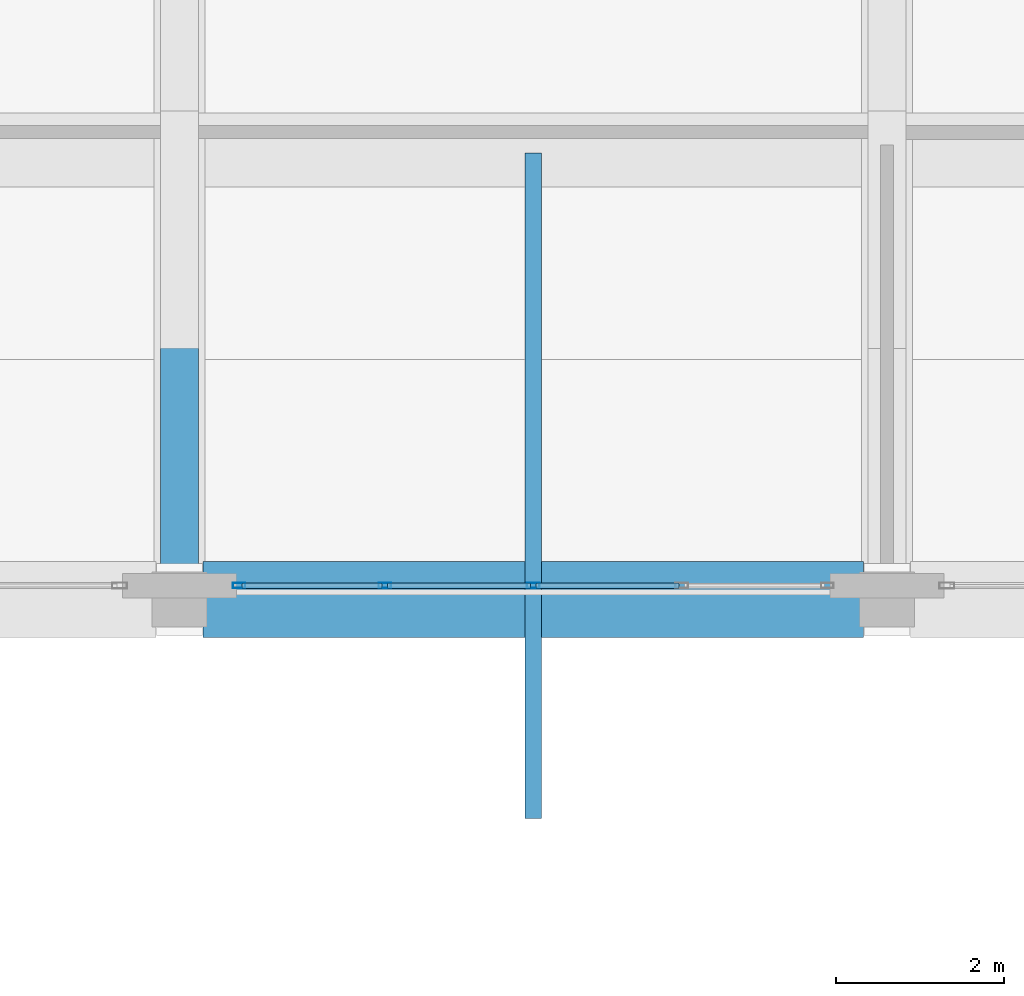
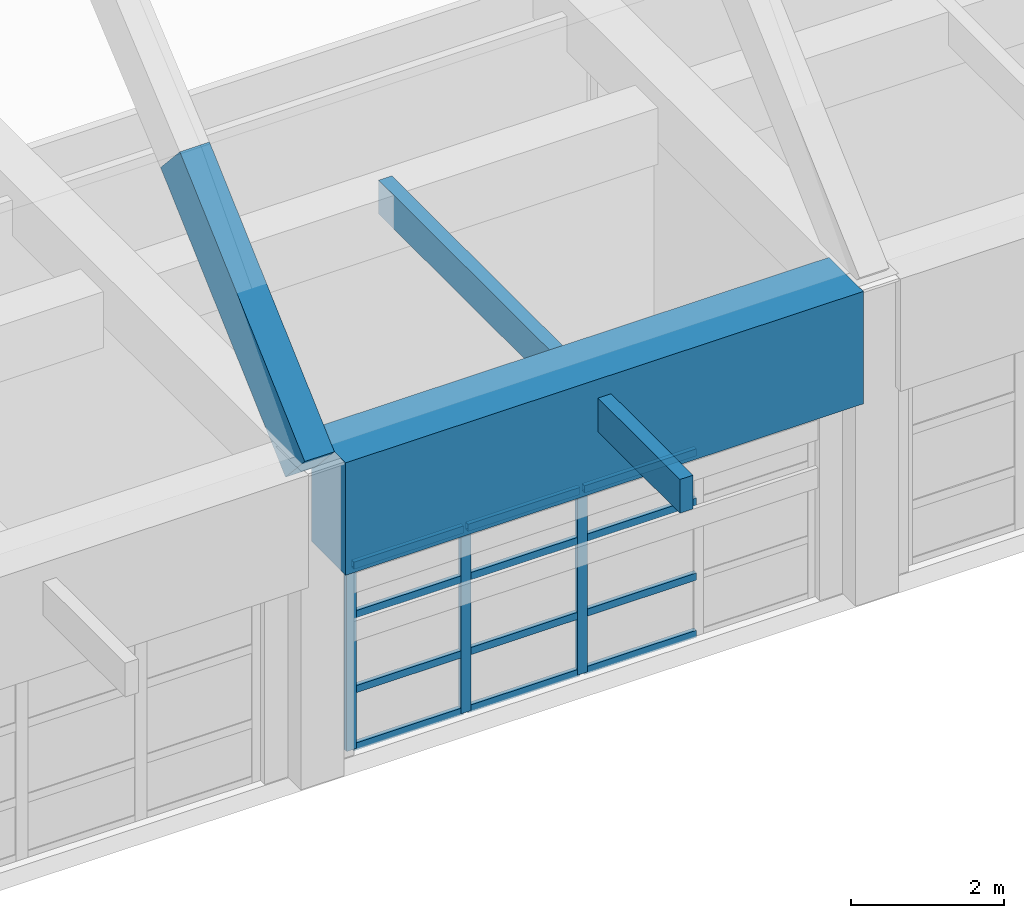
# One storey, part 39 of 103: 16 members, 2 beams, 1 element without a shape of its own.
"""IFC4 building model written with IfcOpenShell, lengths in metres."""

from ifc_helpers import new_model, si_unit, direction, frame, origin, origin_2d, place, context, subcontext, project, spatial, rectangle, hollow_rectangle, extrude, material, layer, layer_set, material_profile, profile_set, type_object, element, aggregate, save


model = new_model("IFC4")

# Units and contexts
model_context = context("Model", 3, precision=1e-05, world=origin(), true_north=direction((0.0, 1.0)))
body_context = subcontext(model_context, "Body", "Model", "MODEL_VIEW")
ifc_project = project(units=[si_unit("LENGTHUNIT", "METRE"), si_unit("AREAUNIT", "SQUARE_METRE"), si_unit("VOLUMEUNIT", "CUBIC_METRE"), si_unit("PLANEANGLEUNIT", "RADIAN"), si_unit("MASSUNIT", "GRAM", prefix="KILO")], contexts=[model_context])

# Site, building, storey
site_placement = place(None, origin())
site = spatial("IfcSite", under=ifc_project, at=site_placement, CompositionType="ELEMENT")
building_placement = place(site_placement, origin())
building = spatial("IfcBuilding", under=site, at=building_placement, Name="Quendrovan Civic Courthouse", CompositionType="ELEMENT")
storey_placement = place(building_placement, frame((0.0, 0.0, 15.300048828125)))
storey = spatial("IfcBuildingStorey", under=building, at=storey_placement, Name="L04", CompositionType="ELEMENT", Elevation=15.300048828125)

# Beams
ifc_material_1 = material(Name="Concrete C45/55", Category="concrete")
ifc_material_profile_1 = material_profile(ifc_material_1, rectangle(XDim=0.89990234375, YDim=1.800048828125, at=origin_2d()), Name="RC-TG-900x1800")
ifc_profile_set_1 = profile_set([ifc_material_profile_1], Name="Concrete C45/55")
beam_type_1 = type_object("IfcBeamType", Name="BM-TG1800", PredefinedType="BEAM", material=ifc_profile_set_1)
beam_1_placement = place(storey_placement, frame((59.080078125, 64.800048828125, 4.199951171875), z_axis=(1.0, 0.0, 0.0), x_axis=(0.0, 1.0, 0.0)))
element("IfcBeam", 1, at=beam_1_placement, inside=storey, type_object=beam_type_1, Name="BV2 Springing Collector Girder S-4", PredefinedType="BEAM", context=body_context, shape_type="SweptSolid", body=[
    extrude(rectangle(XDim=0.89990234375, YDim=1.800048828125, at=origin_2d()), origin(), (0.0, 0.0, 1.0), 7.83984375),
])
ifc_material_2 = material(Name="Concrete C40/50", Category="concrete")
ifc_material_profile_2 = material_profile(ifc_material_2, rectangle(XDim=0.449951171875, YDim=0.75, at=origin_2d()), Name="RC-VRIB-450x750")
ifc_profile_set_2 = profile_set([ifc_material_profile_2], Name="Concrete C40/50")
beam_type_2 = type_object("IfcBeamType", Name="BM-VRIB750", PredefinedType="BEAM", material=ifc_profile_set_2)
beam_2_placement = place(storey_placement, frame((58.800048828125, 64.800048828125, 4.89990234375), z_axis=(0.0, 0.740758632606, 0.671771276716), x_axis=(-1.0, 0.0, 0.0)))
element("IfcBeam", 2, at=beam_2_placement, inside=storey, type_object=beam_type_2, Name="BV2 Concrete Vault Arch Rib A4-C1", PredefinedType="BEAM", context=body_context, shape_type="SweptSolid", body=[
    extrude(rectangle(XDim=0.449951171875, YDim=0.75, at=origin_2d()), origin(), (0.0, 0.0, 1.0), 4.423583984375),
])

# Curtain wall, members
ifc_material_3 = material(Name="Bronze anodised aluminium and low-E glass", Category="aluminium")
ifc_layer = layer(ifc_material_3, 0.179931640625, Name="Bronze anodised aluminium and low-E glass")
ifc_layer_set = layer_set([ifc_layer], Name="Bronze anodised aluminium and low-E glass")
curtain_wall_type = type_object("IfcCurtainWallType", Name="CW-U70x30", PredefinedType="USERDEFINED", material=ifc_layer_set)
curtain_wall_placement = place(storey_placement, origin())
curtain_wall = element("IfcCurtainWall", 3, at=curtain_wall_placement, inside=storey, type_object=curtain_wall_type, Name="L04 Unitised Hurricane Curtain Wall CW-161", ObjectType="UNITISED CURTAIN WALL", PredefinedType="USERDEFINED")
ifc_material_4 = material(Name="Bronze anodised aluminium", Category="aluminium")
ifc_material_profile_3 = material_profile(ifc_material_4, hollow_rectangle(XDim=0.06494140625, YDim=0.14990234375, WallThickness=0.00390625, at=origin_2d()), Name="CW-MULL-65x150")
ifc_profile_set_3 = profile_set([ifc_material_profile_3], Name="Bronze anodised aluminium")
member_type_1 = type_object("IfcMemberType", Name="CW-MULL-B", PredefinedType="MULLION", material=ifc_profile_set_3)
member_1_placement = place(storey_placement, frame((63.0, 64.965087890625, 0.0), z_axis=(0.0, 0.0, 1.0), x_axis=(0.0, -1.0, 0.0)))
member_1 = element("IfcMember", 4, at=member_1_placement, type_object=member_type_1, Name="CW-161 mullion 3", PredefinedType="MULLION", context=body_context, shape_type="SweptSolid", body=[
    extrude(hollow_rectangle(XDim=0.06494140625, YDim=0.14990234375, WallThickness=0.00390625, at=origin_2d()), origin(), (0.0, 0.0, 1.0), 2.969970703125),
])
member_2_placement = place(storey_placement, frame((61.237548828125, 64.965087890625, 0.0), z_axis=(0.0, 0.0, 1.0), x_axis=(0.0, -1.0, 0.0)))
member_2 = element("IfcMember", 5, at=member_2_placement, type_object=member_type_1, Name="CW-161 mullion 4", PredefinedType="MULLION", context=body_context, shape_type="SweptSolid", body=[
    extrude(hollow_rectangle(XDim=0.06494140625, YDim=0.14990234375, WallThickness=0.00390625, at=origin_2d()), origin(), (0.0, 0.0, 1.0), 2.969970703125),
])
member_3_placement = place(storey_placement, frame((59.507568359375, 64.965087890625, 0.0), z_axis=(0.0, 0.0, 1.0), x_axis=(0.0, -1.0, 0.0)))
member_3 = element("IfcMember", 6, at=member_3_placement, type_object=member_type_1, Name="CW-161 mullion 5", PredefinedType="MULLION", context=body_context, shape_type="SweptSolid", body=[
    extrude(hollow_rectangle(XDim=0.06494140625, YDim=0.14990234375, WallThickness=0.00390625, at=origin_2d()), origin(), (0.0, 0.0, 1.0), 2.969970703125),
])
ifc_material_profile_4 = material_profile(ifc_material_4, hollow_rectangle(XDim=0.06494140625, YDim=0.114990234375, WallThickness=0.00390625, at=origin_2d()), Name="CW-TRAN-65x115")
ifc_profile_set_4 = profile_set([ifc_material_profile_4], Name="Bronze anodised aluminium")
member_type_2 = type_object("IfcMemberType", Name="CW-TRAN-B", PredefinedType="USERDEFINED", material=ifc_profile_set_4)
member_4_placement = place(storey_placement, frame((64.72998046875, 64.965087890625, 0.032470703125), z_axis=(-1.0, 0.0, 0.0), x_axis=(0.0, -1.0, 0.0)))
member_4 = element("IfcMember", 7, at=member_4_placement, type_object=member_type_2, Name="CW-161 transom 2.1", ObjectType="TRANSOM", PredefinedType="USERDEFINED", context=body_context, shape_type="SweptSolid", body=[
    extrude(hollow_rectangle(XDim=0.06494140625, YDim=0.114990234375, WallThickness=0.00390625, at=origin_2d()), origin(), (0.0, 0.0, 1.0), 1.697509765625),
])
member_5_placement = place(storey_placement, frame((64.72998046875, 64.965087890625, 0.949951171875), z_axis=(-1.0, 0.0, 0.0), x_axis=(0.0, -1.0, 0.0)))
member_5 = element("IfcMember", 8, at=member_5_placement, type_object=member_type_2, Name="CW-161 transom 2.2", ObjectType="TRANSOM", PredefinedType="USERDEFINED", context=body_context, shape_type="SweptSolid", body=[
    extrude(hollow_rectangle(XDim=0.06494140625, YDim=0.114990234375, WallThickness=0.00390625, at=origin_2d()), origin(), (0.0, 0.0, 1.0), 1.697509765625),
])
member_6_placement = place(storey_placement, frame((64.72998046875, 64.965087890625, 2.14990234375), z_axis=(-1.0, 0.0, 0.0), x_axis=(0.0, -1.0, 0.0)))
member_6 = element("IfcMember", 9, at=member_6_placement, type_object=member_type_2, Name="CW-161 transom 2.3", ObjectType="TRANSOM", PredefinedType="USERDEFINED", context=body_context, shape_type="SweptSolid", body=[
    extrude(hollow_rectangle(XDim=0.06494140625, YDim=0.114990234375, WallThickness=0.00390625, at=origin_2d()), origin(), (0.0, 0.0, 1.0), 1.697509765625),
])
member_7_placement = place(storey_placement, frame((64.72998046875, 64.965087890625, 2.9375), z_axis=(-1.0, 0.0, 0.0), x_axis=(0.0, -1.0, 0.0)))
member_7 = element("IfcMember", 10, at=member_7_placement, type_object=member_type_2, Name="CW-161 transom 2.4", ObjectType="TRANSOM", PredefinedType="USERDEFINED", context=body_context, shape_type="SweptSolid", body=[
    extrude(hollow_rectangle(XDim=0.06494140625, YDim=0.114990234375, WallThickness=0.00390625, at=origin_2d()), origin(), (0.0, 0.0, 1.0), 1.697509765625),
])
member_8_placement = place(storey_placement, frame((62.967529296875, 64.965087890625, 0.032470703125), z_axis=(-1.0, 0.0, 0.0), x_axis=(0.0, -1.0, 0.0)))
member_8 = element("IfcMember", 11, at=member_8_placement, type_object=member_type_2, Name="CW-161 transom 3.1", ObjectType="TRANSOM", PredefinedType="USERDEFINED", context=body_context, shape_type="SweptSolid", body=[
    extrude(hollow_rectangle(XDim=0.06494140625, YDim=0.114990234375, WallThickness=0.00390625, at=origin_2d()), origin(), (0.0, 0.0, 1.0), 1.697509765625),
])
member_9_placement = place(storey_placement, frame((62.967529296875, 64.965087890625, 0.949951171875), z_axis=(-1.0, 0.0, 0.0), x_axis=(0.0, -1.0, 0.0)))
member_9 = element("IfcMember", 12, at=member_9_placement, type_object=member_type_2, Name="CW-161 transom 3.2", ObjectType="TRANSOM", PredefinedType="USERDEFINED", context=body_context, shape_type="SweptSolid", body=[
    extrude(hollow_rectangle(XDim=0.06494140625, YDim=0.114990234375, WallThickness=0.00390625, at=origin_2d()), origin(), (0.0, 0.0, 1.0), 1.697509765625),
])
member_10_placement = place(storey_placement, frame((62.967529296875, 64.965087890625, 2.14990234375), z_axis=(-1.0, 0.0, 0.0), x_axis=(0.0, -1.0, 0.0)))
member_10 = element("IfcMember", 13, at=member_10_placement, type_object=member_type_2, Name="CW-161 transom 3.3", ObjectType="TRANSOM", PredefinedType="USERDEFINED", context=body_context, shape_type="SweptSolid", body=[
    extrude(hollow_rectangle(XDim=0.06494140625, YDim=0.114990234375, WallThickness=0.00390625, at=origin_2d()), origin(), (0.0, 0.0, 1.0), 1.697509765625),
])
member_11_placement = place(storey_placement, frame((62.967529296875, 64.965087890625, 2.9375), z_axis=(-1.0, 0.0, 0.0), x_axis=(0.0, -1.0, 0.0)))
member_11 = element("IfcMember", 14, at=member_11_placement, type_object=member_type_2, Name="CW-161 transom 3.4", ObjectType="TRANSOM", PredefinedType="USERDEFINED", context=body_context, shape_type="SweptSolid", body=[
    extrude(hollow_rectangle(XDim=0.06494140625, YDim=0.114990234375, WallThickness=0.00390625, at=origin_2d()), origin(), (0.0, 0.0, 1.0), 1.697509765625),
])
member_12_placement = place(storey_placement, frame((61.205078125, 64.965087890625, 0.032470703125), z_axis=(-1.0, 0.0, 0.0), x_axis=(0.0, -1.0, 0.0)))
member_12 = element("IfcMember", 15, at=member_12_placement, type_object=member_type_2, Name="CW-161 transom 4.1", ObjectType="TRANSOM", PredefinedType="USERDEFINED", context=body_context, shape_type="SweptSolid", body=[
    extrude(hollow_rectangle(XDim=0.06494140625, YDim=0.114990234375, WallThickness=0.00390625, at=origin_2d()), origin(), (0.0, 0.0, 1.0), 1.6650390625),
])
member_13_placement = place(storey_placement, frame((61.205078125, 64.965087890625, 0.949951171875), z_axis=(-1.0, 0.0, 0.0), x_axis=(0.0, -1.0, 0.0)))
member_13 = element("IfcMember", 16, at=member_13_placement, type_object=member_type_2, Name="CW-161 transom 4.2", ObjectType="TRANSOM", PredefinedType="USERDEFINED", context=body_context, shape_type="SweptSolid", body=[
    extrude(hollow_rectangle(XDim=0.06494140625, YDim=0.114990234375, WallThickness=0.00390625, at=origin_2d()), origin(), (0.0, 0.0, 1.0), 1.6650390625),
])
member_14_placement = place(storey_placement, frame((61.205078125, 64.965087890625, 2.14990234375), z_axis=(-1.0, 0.0, 0.0), x_axis=(0.0, -1.0, 0.0)))
member_14 = element("IfcMember", 17, at=member_14_placement, type_object=member_type_2, Name="CW-161 transom 4.3", ObjectType="TRANSOM", PredefinedType="USERDEFINED", context=body_context, shape_type="SweptSolid", body=[
    extrude(hollow_rectangle(XDim=0.06494140625, YDim=0.114990234375, WallThickness=0.00390625, at=origin_2d()), origin(), (0.0, 0.0, 1.0), 1.6650390625),
])
member_15_placement = place(storey_placement, frame((61.205078125, 64.965087890625, 2.9375), z_axis=(-1.0, 0.0, 0.0), x_axis=(0.0, -1.0, 0.0)))
member_15 = element("IfcMember", 18, at=member_15_placement, type_object=member_type_2, Name="CW-161 transom 4.4", ObjectType="TRANSOM", PredefinedType="USERDEFINED", context=body_context, shape_type="SweptSolid", body=[
    extrude(hollow_rectangle(XDim=0.06494140625, YDim=0.114990234375, WallThickness=0.00390625, at=origin_2d()), origin(), (0.0, 0.0, 1.0), 1.6650390625),
])
aggregate(curtain_wall, [member_1, member_2, member_3, member_4, member_5, member_6, member_7, member_8, member_9, member_10, member_11, member_12, member_13, member_14, member_15])

# Member
ifc_material_5 = material(Name="Western Red Cedar Glulam GL28h", Category="wood")
ifc_material_profile_5 = material_profile(ifc_material_5, rectangle(XDim=0.199951171875, YDim=0.5400390625, at=origin_2d()), Name="GL28H-200x540")
ifc_profile_set_5 = profile_set([ifc_material_profile_5], Name="Western Red Cedar Glulam GL28h")
member_type_3 = type_object("IfcMemberType", Name="MEM-PUR-GL540", PredefinedType="PURLIN", material=ifc_profile_set_5)
member_16_placement = place(storey_placement, frame((63.0, 62.199951171875, 4.530029296875), z_axis=(0.0, 1.0, 0.0), x_axis=(-1.0, 0.0, 0.0)))
element("IfcMember", 19, at=member_16_placement, inside=storey, type_object=member_type_3, Name="BV2 Cedar Glulam South Hurricane Eave Outrigger B4", PredefinedType="PURLIN", context=body_context, shape_type="SweptSolid", body=[
    extrude(rectangle(XDim=0.199951171875, YDim=0.5400390625, at=origin_2d()), origin(), (0.0, 0.0, 1.0), 7.900146484375),
])

save(model, "model.ifc")
